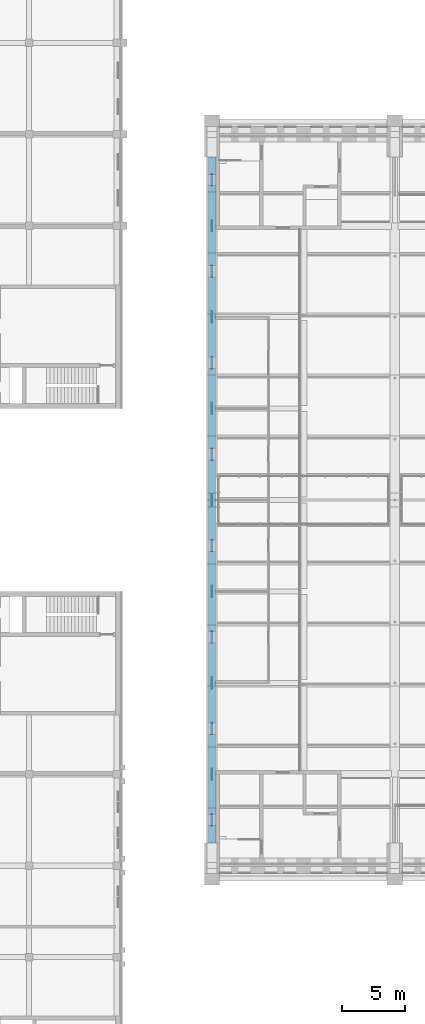
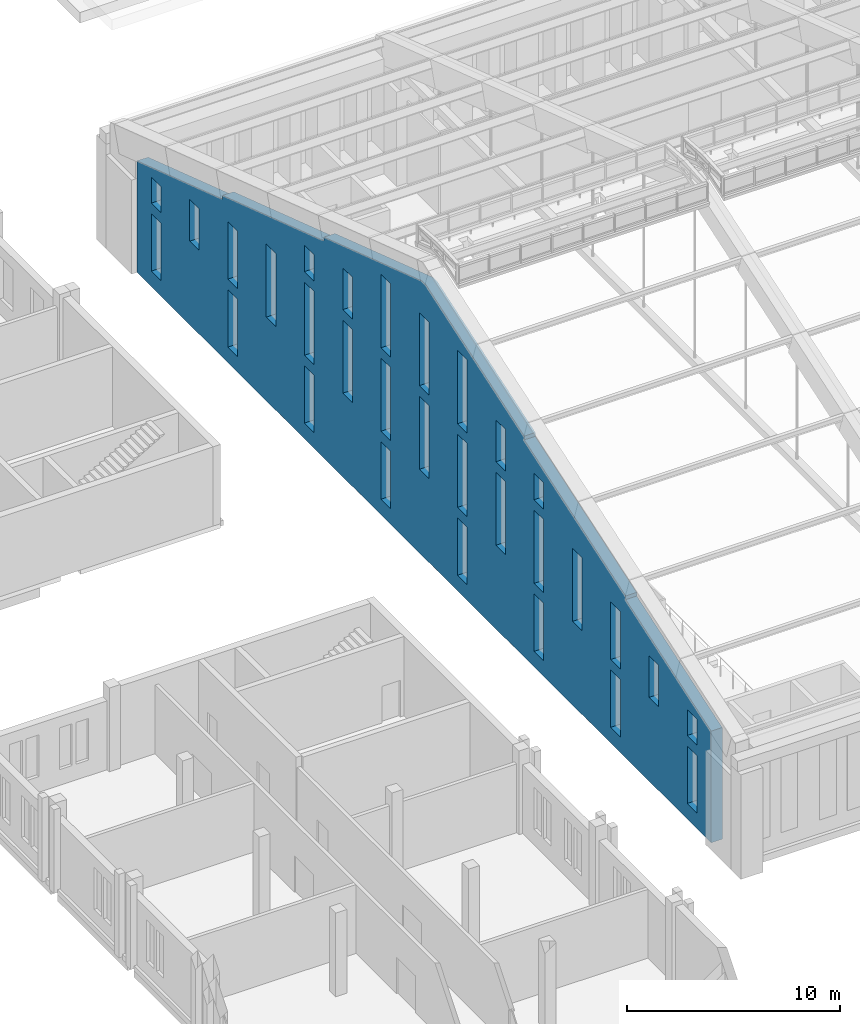
# One storey, part 128 of 149: 1 wall, 30 openings.
"""IFC4 building model written with IfcOpenShell, lengths in metres."""

from ifc_helpers import new_model, si_unit, direction, frame, frame_2d, origin, place, context, subcontext, project, spatial, polyline, rectangle, outline, extrude, material, layer, layer_set, type_object, element, save


model = new_model("IFC4")

# Units and contexts
model_context = context("Model", 3, precision=1e-05, world=origin(), true_north=direction((0.0, 1.0)))
body_context = subcontext(model_context, "Body", "Model", "MODEL_VIEW")
ifc_project = project(units=[si_unit("LENGTHUNIT", "METRE"), si_unit("AREAUNIT", "SQUARE_METRE"), si_unit("VOLUMEUNIT", "CUBIC_METRE"), si_unit("PLANEANGLEUNIT", "RADIAN"), si_unit("MASSUNIT", "GRAM", prefix="KILO")], contexts=[model_context])

# Site, building, storey
site_placement = place(None, origin())
site = spatial("IfcSite", under=ifc_project, at=site_placement, CompositionType="ELEMENT")
building_placement = place(site_placement, origin())
building = spatial("IfcBuilding", under=site, at=building_placement, Name="Alderwick Market Hall", CompositionType="ELEMENT")
storey_placement = place(building_placement, frame((0.0, 0.0, 9.60009765625)))
storey = spatial("IfcBuildingStorey", under=building, at=storey_placement, Name="L01", CompositionType="ELEMENT", Elevation=9.60009765625)

# Wall, openings
ifc_material = material(Name="Concrete 5000 psi (f'c 35 MPa)", Category="concrete")
ifc_layer = layer(ifc_material, 0.60009765625)
ifc_layer_set = layer_set([ifc_layer], Name="Concrete 5000 psi (f'c 35 MPa)")
wall_type = type_object("IfcWallType", Name="R Gable Wall 600", PredefinedType="SOLIDWALL", material=ifc_layer_set)
wall_placement = place(storey_placement, frame((50.39990234375, 52.199951171875, 0.0), z_axis=(0.0, 0.0, 1.0), x_axis=(0.0, 1.0, 0.0)))
wall = element("IfcWall", 1, at=wall_placement, inside=storey, type_object=wall_type, Name="West gable wall L01", PredefinedType="SOLIDWALL", context=body_context, shape_type="SweptSolid", body=[
    extrude(outline(polyline([(0.0, 0.0), (54.0, 0.0), (54.0, 6.409423828125), (53.699951171875, 6.50927734375), (53.39990234375, 6.609375), (53.10009765625, 6.709228515625), (52.800048828125, 6.809326171875), (52.5, 6.909423828125), (52.199951171875, 7.00927734375), (51.89990234375, 7.109375), (51.60009765625, 7.209228515625), (51.300048828125, 7.309326171875), (51.0, 7.409423828125), (50.763916015625, 7.488037109375), (50.76171875, 7.48876953125), (50.699951171875, 7.50927734375), (50.39990234375, 7.609375), (50.10009765625, 7.709228515625), (49.800048828125, 7.809326171875), (49.5, 7.909423828125), (49.199951171875, 8.00927734375), (48.89990234375, 8.109375), (48.60009765625, 8.209228515625), (48.300048828125, 8.309326171875), (48.0, 8.409423828125), (47.699951171875, 8.50927734375), (47.39990234375, 8.609375), (47.10009765625, 8.709228515625), (46.800048828125, 8.809326171875), (46.5, 8.909423828125), (46.199951171875, 9.00927734375), (46.027099609375, 9.06689453125), (46.025146484375, 9.067626953125), (45.9638671875, 9.088134765625), (45.9619140625, 9.299560546875), (45.89990234375, 9.320068359375), (45.60009765625, 9.420166015625), (45.300048828125, 9.52001953125), (45.0, 9.6201171875), (44.699951171875, 9.72021484375), (44.39990234375, 9.820068359375), (44.10009765625, 9.920166015625), (43.800048828125, 10.02001953125), (43.5, 10.1201171875), (43.199951171875, 10.22021484375), (42.89990234375, 10.320068359375), (42.60009765625, 10.420166015625), (42.300048828125, 10.52001953125), (42.0, 10.6201171875), (41.699951171875, 10.72021484375), (41.39990234375, 10.820068359375), (41.22705078125, 10.877685546875), (41.22509765625, 10.87841796875), (41.10009765625, 10.920166015625), (40.800048828125, 11.02001953125), (40.5, 11.1201171875), (40.199951171875, 11.22021484375), (39.89990234375, 11.320068359375), (39.60009765625, 11.420166015625), (39.300048828125, 11.52001953125), (39.0, 11.6201171875), (38.699951171875, 11.72021484375), (38.39990234375, 11.820068359375), (38.10009765625, 11.920166015625), (37.800048828125, 12.02001953125), (37.5, 12.1201171875), (37.199951171875, 12.22021484375), (36.89990234375, 12.320068359375), (36.60009765625, 12.420166015625), (36.490234375, 12.456787109375), (36.48828125, 12.45751953125), (36.427001953125, 12.477783203125), (36.425048828125, 12.689208984375), (36.300048828125, 12.73095703125), (36.0, 12.8310546875), (35.699951171875, 12.930908203125), (35.39990234375, 13.031005859375), (35.10009765625, 13.131103515625), (34.800048828125, 13.23095703125), (34.5, 13.3310546875), (34.199951171875, 13.430908203125), (33.89990234375, 13.531005859375), (33.60009765625, 13.631103515625), (33.300048828125, 13.73095703125), (33.0, 13.8310546875), (32.699951171875, 13.930908203125), (32.39990234375, 14.031005859375), (32.10009765625, 14.131103515625), (31.800048828125, 14.23095703125), (31.690185546875, 14.267578125), (31.688232421875, 14.268310546875), (31.5, 14.3310546875), (31.199951171875, 14.430908203125), (30.89990234375, 14.531005859375), (30.60009765625, 14.631103515625), (30.300048828125, 14.73095703125), (30.0, 14.8310546875), (29.699951171875, 14.930908203125), (29.39990234375, 15.031005859375), (29.10009765625, 15.131103515625), (28.800048828125, 15.23095703125), (28.5, 15.3310546875), (28.199951171875, 15.430908203125), (27.89990234375, 15.531005859375), (27.60009765625, 15.631103515625), (27.300048828125, 15.73095703125), (27.200927734375, 15.763916015625), (27.198974609375, 15.764404296875), (27.0, 15.764404296875), (26.801025390625, 15.764404296875), (26.799072265625, 15.763916015625), (26.699951171875, 15.73095703125), (26.39990234375, 15.631103515625), (26.10009765625, 15.531005859375), (25.800048828125, 15.430908203125), (25.5, 15.3310546875), (25.199951171875, 15.23095703125), (24.89990234375, 15.131103515625), (24.60009765625, 15.031005859375), (24.300048828125, 14.930908203125), (24.0, 14.8310546875), (23.699951171875, 14.73095703125), (23.39990234375, 14.631103515625), (23.10009765625, 14.531005859375), (22.800048828125, 14.430908203125), (22.5, 14.3310546875), (22.311767578125, 14.268310546875), (22.309814453125, 14.267578125), (22.199951171875, 14.23095703125), (21.89990234375, 14.131103515625), (21.60009765625, 14.031005859375), (21.300048828125, 13.930908203125), (21.0, 13.8310546875), (20.699951171875, 13.73095703125), (20.39990234375, 13.631103515625), (20.10009765625, 13.531005859375), (19.800048828125, 13.430908203125), (19.5, 13.3310546875), (19.199951171875, 13.23095703125), (18.89990234375, 13.131103515625), (18.60009765625, 13.031005859375), (18.300048828125, 12.930908203125), (18.0, 12.8310546875), (17.699951171875, 12.73095703125), (17.574951171875, 12.689208984375), (17.572998046875, 12.477783203125), (17.51171875, 12.45751953125), (17.509765625, 12.456787109375), (17.39990234375, 12.420166015625), (17.10009765625, 12.320068359375), (16.800048828125, 12.22021484375), (16.5, 12.1201171875), (16.199951171875, 12.02001953125), (15.89990234375, 11.920166015625), (15.60009765625, 11.820068359375), (15.300048828125, 11.72021484375), (15.0, 11.6201171875), (14.699951171875, 11.52001953125), (14.39990234375, 11.420166015625), (14.10009765625, 11.320068359375), (13.800048828125, 11.22021484375), (13.5, 11.1201171875), (13.199951171875, 11.02001953125), (12.89990234375, 10.920166015625), (12.77490234375, 10.87841796875), (12.77294921875, 10.877685546875), (12.60009765625, 10.820068359375), (12.300048828125, 10.72021484375), (12.0, 10.6201171875), (11.699951171875, 10.52001953125), (11.39990234375, 10.420166015625), (11.10009765625, 10.320068359375), (10.800048828125, 10.22021484375), (10.5, 10.1201171875), (10.199951171875, 10.02001953125), (9.89990234375, 9.920166015625), (9.60009765625, 9.820068359375), (9.300048828125, 9.72021484375), (9.0, 9.6201171875), (8.699951171875, 9.52001953125), (8.39990234375, 9.420166015625), (8.10009765625, 9.320068359375), (8.0380859375, 9.299560546875), (8.0361328125, 9.088134765625), (7.974853515625, 9.067626953125), (7.972900390625, 9.06689453125), (7.800048828125, 9.00927734375), (7.5, 8.909423828125), (7.199951171875, 8.809326171875), (6.89990234375, 8.709228515625), (6.60009765625, 8.609375), (6.300048828125, 8.50927734375), (6.0, 8.409423828125), (5.699951171875, 8.309326171875), (5.39990234375, 8.209228515625), (5.10009765625, 8.109375), (4.800048828125, 8.00927734375), (4.5, 7.909423828125), (4.199951171875, 7.809326171875), (3.89990234375, 7.709228515625), (3.60009765625, 7.609375), (3.300048828125, 7.50927734375), (3.23828125, 7.48876953125), (3.236083984375, 7.488037109375), (3.0, 7.409423828125), (2.699951171875, 7.309326171875), (2.39990234375, 7.209228515625), (2.10009765625, 7.109375), (1.800048828125, 7.00927734375), (1.5, 6.909423828125), (1.199951171875, 6.809326171875), (0.89990234375, 6.709228515625), (0.60009765625, 6.609375), (0.300048828125, 6.50927734375), (0.0, 6.409423828125), (0.0, 0.0)])), frame((0.0, 0.300048828125, 0.0), z_axis=(0.0, -1.0, 0.0), x_axis=(1.0, 0.0, 0.0)), (0.0, 0.0, 1.0), 0.60009765625),
])
opening_1_placement = place(wall_placement, frame((1.35009765625, 0.0, 0.89990234375)))
element("IfcOpeningElement", 2, at=opening_1_placement, cuts=wall, Name="Opening R-W017", PredefinedType="OPENING", context=body_context, shape_type="SweptSolid", body=[
    extrude(rectangle(XDim=0.89990234375, YDim=3.300048828125, at=frame_2d((0.449951171875, 1.64990234375))), frame((0.0, 0.31005859375, 0.0), z_axis=(0.0, -1.0, 0.0), x_axis=(1.0, 0.0, 0.0)), (0.0, 0.0, 1.0), 0.6201171875),
])
opening_2_placement = place(wall_placement, frame((8.550048828125, 0.0, 0.89990234375)))
element("IfcOpeningElement", 3, at=opening_2_placement, cuts=wall, Name="Opening R-W018", PredefinedType="OPENING", context=body_context, shape_type="SweptSolid", body=[
    extrude(rectangle(XDim=0.89990234375, YDim=3.300048828125, at=frame_2d((0.449951171875, 1.64990234375))), frame((0.0, 0.31005859375, 0.0), z_axis=(0.0, -1.0, 0.0), x_axis=(1.0, 0.0, 0.0)), (0.0, 0.0, 1.0), 0.6201171875),
])
opening_3_placement = place(wall_placement, frame((15.75, 0.0, 0.89990234375)))
element("IfcOpeningElement", 4, at=opening_3_placement, cuts=wall, Name="Opening R-W019", PredefinedType="OPENING", context=body_context, shape_type="SweptSolid", body=[
    extrude(rectangle(XDim=0.89990234375, YDim=3.300048828125, at=frame_2d((0.449951171875, 1.64990234375))), frame((0.0, 0.31005859375, 0.0), z_axis=(0.0, -1.0, 0.0), x_axis=(1.0, 0.0, 0.0)), (0.0, 0.0, 1.0), 0.6201171875),
])
opening_4_placement = place(wall_placement, frame((22.949951171875, 0.0, 0.89990234375)))
element("IfcOpeningElement", 5, at=opening_4_placement, cuts=wall, Name="Opening R-W020", PredefinedType="OPENING", context=body_context, shape_type="SweptSolid", body=[
    extrude(rectangle(XDim=0.89990234375, YDim=3.300048828125, at=frame_2d((0.449951171875, 1.64990234375))), frame((0.0, 0.31005859375, 0.0), z_axis=(0.0, -1.0, 0.0), x_axis=(1.0, 0.0, 0.0)), (0.0, 0.0, 1.0), 0.6201171875),
])
opening_5_placement = place(wall_placement, frame((30.14990234375, 0.0, 0.89990234375)))
element("IfcOpeningElement", 6, at=opening_5_placement, cuts=wall, Name="Opening R-W021", PredefinedType="OPENING", context=body_context, shape_type="SweptSolid", body=[
    extrude(rectangle(XDim=0.89990234375, YDim=3.300048828125, at=frame_2d((0.449951171875, 1.64990234375))), frame((0.0, 0.31005859375, 0.0), z_axis=(0.0, -1.0, 0.0), x_axis=(1.0, 0.0, 0.0)), (0.0, 0.0, 1.0), 0.6201171875),
])
opening_6_placement = place(wall_placement, frame((37.35009765625, 0.0, 0.89990234375)))
element("IfcOpeningElement", 7, at=opening_6_placement, cuts=wall, Name="Opening R-W022", PredefinedType="OPENING", context=body_context, shape_type="SweptSolid", body=[
    extrude(rectangle(XDim=0.89990234375, YDim=3.300048828125, at=frame_2d((0.449951171875, 1.64990234375))), frame((0.0, 0.31005859375, 0.0), z_axis=(0.0, -1.0, 0.0), x_axis=(1.0, 0.0, 0.0)), (0.0, 0.0, 1.0), 0.6201171875),
])
opening_7_placement = place(wall_placement, frame((44.550048828125, 0.0, 0.89990234375)))
element("IfcOpeningElement", 8, at=opening_7_placement, cuts=wall, Name="Opening R-W023", PredefinedType="OPENING", context=body_context, shape_type="SweptSolid", body=[
    extrude(rectangle(XDim=0.89990234375, YDim=3.300048828125, at=frame_2d((0.449951171875, 1.64990234375))), frame((0.0, 0.31005859375, 0.0), z_axis=(0.0, -1.0, 0.0), x_axis=(1.0, 0.0, 0.0)), (0.0, 0.0, 1.0), 0.6201171875),
])
opening_8_placement = place(wall_placement, frame((51.75, 0.0, 0.89990234375)))
element("IfcOpeningElement", 9, at=opening_8_placement, cuts=wall, Name="Opening R-W024", PredefinedType="OPENING", context=body_context, shape_type="SweptSolid", body=[
    extrude(rectangle(XDim=0.89990234375, YDim=3.300048828125, at=frame_2d((0.449951171875, 1.64990234375))), frame((0.0, 0.31005859375, 0.0), z_axis=(0.0, -1.0, 0.0), x_axis=(1.0, 0.0, 0.0)), (0.0, 0.0, 1.0), 0.6201171875),
])
opening_9_placement = place(wall_placement, frame((1.35009765625, 0.0, 4.800048828125)))
element("IfcOpeningElement", 10, at=opening_9_placement, cuts=wall, Name="Opening R-W025", PredefinedType="OPENING", context=body_context, shape_type="SweptSolid", body=[
    extrude(rectangle(XDim=0.89990234375, YDim=1.5, at=frame_2d((0.449951171875, 0.75))), frame((0.0, 0.31005859375, 0.0), z_axis=(0.0, -1.0, 0.0), x_axis=(1.0, 0.0, 0.0)), (0.0, 0.0, 1.0), 0.6201171875),
])
opening_10_placement = place(wall_placement, frame((4.949951171875, 0.0, 4.800048828125)))
element("IfcOpeningElement", 11, at=opening_10_placement, cuts=wall, Name="Opening R-W026", PredefinedType="OPENING", context=body_context, shape_type="SweptSolid", body=[
    extrude(rectangle(XDim=0.89990234375, YDim=2.39990234375, at=frame_2d((0.449951171875, 1.199951171875))), frame((0.0, 0.31005859375, 0.0), z_axis=(0.0, -1.0, 0.0), x_axis=(1.0, 0.0, 0.0)), (0.0, 0.0, 1.0), 0.6201171875),
])
opening_11_placement = place(wall_placement, frame((8.550048828125, 0.0, 4.800048828125)))
element("IfcOpeningElement", 12, at=opening_11_placement, cuts=wall, Name="Opening R-W027", PredefinedType="OPENING", context=body_context, shape_type="SweptSolid", body=[
    extrude(rectangle(XDim=0.89990234375, YDim=3.300048828125, at=frame_2d((0.449951171875, 1.64990234375))), frame((0.0, 0.31005859375, 0.0), z_axis=(0.0, -1.0, 0.0), x_axis=(1.0, 0.0, 0.0)), (0.0, 0.0, 1.0), 0.6201171875),
])
opening_12_placement = place(wall_placement, frame((12.14990234375, 0.0, 4.800048828125)))
element("IfcOpeningElement", 13, at=opening_12_placement, cuts=wall, Name="Opening R-W028", PredefinedType="OPENING", context=body_context, shape_type="SweptSolid", body=[
    extrude(rectangle(XDim=0.89990234375, YDim=4.199951171875, at=frame_2d((0.449951171875, 2.10009765625))), frame((0.0, 0.31005859375, 0.0), z_axis=(0.0, -1.0, 0.0), x_axis=(1.0, 0.0, 0.0)), (0.0, 0.0, 1.0), 0.6201171875),
])
opening_13_placement = place(wall_placement, frame((15.75, 0.0, 4.800048828125)))
element("IfcOpeningElement", 14, at=opening_13_placement, cuts=wall, Name="Opening R-W029", PredefinedType="OPENING", context=body_context, shape_type="SweptSolid", body=[
    extrude(rectangle(XDim=0.89990234375, YDim=4.199951171875, at=frame_2d((0.449951171875, 2.10009765625))), frame((0.0, 0.31005859375, 0.0), z_axis=(0.0, -1.0, 0.0), x_axis=(1.0, 0.0, 0.0)), (0.0, 0.0, 1.0), 0.6201171875),
])
opening_14_placement = place(wall_placement, frame((19.35009765625, 0.0, 4.800048828125)))
element("IfcOpeningElement", 15, at=opening_14_placement, cuts=wall, Name="Opening R-W030", PredefinedType="OPENING", context=body_context, shape_type="SweptSolid", body=[
    extrude(rectangle(XDim=0.89990234375, YDim=4.199951171875, at=frame_2d((0.449951171875, 2.10009765625))), frame((0.0, 0.31005859375, 0.0), z_axis=(0.0, -1.0, 0.0), x_axis=(1.0, 0.0, 0.0)), (0.0, 0.0, 1.0), 0.6201171875),
])
opening_15_placement = place(wall_placement, frame((22.949951171875, 0.0, 4.800048828125)))
element("IfcOpeningElement", 16, at=opening_15_placement, cuts=wall, Name="Opening R-W031", PredefinedType="OPENING", context=body_context, shape_type="SweptSolid", body=[
    extrude(rectangle(XDim=0.89990234375, YDim=4.199951171875, at=frame_2d((0.449951171875, 2.10009765625))), frame((0.0, 0.31005859375, 0.0), z_axis=(0.0, -1.0, 0.0), x_axis=(1.0, 0.0, 0.0)), (0.0, 0.0, 1.0), 0.6201171875),
])
opening_16_placement = place(wall_placement, frame((26.550048828125, 0.0, 4.800048828125)))
element("IfcOpeningElement", 17, at=opening_16_placement, cuts=wall, Name="Opening R-W032", PredefinedType="OPENING", context=body_context, shape_type="SweptSolid", body=[
    extrude(rectangle(XDim=0.89990234375, YDim=4.199951171875, at=frame_2d((0.449951171875, 2.10009765625))), frame((0.0, 0.31005859375, 0.0), z_axis=(0.0, -1.0, 0.0), x_axis=(1.0, 0.0, 0.0)), (0.0, 0.0, 1.0), 0.6201171875),
])
opening_17_placement = place(wall_placement, frame((30.14990234375, 0.0, 4.800048828125)))
element("IfcOpeningElement", 18, at=opening_17_placement, cuts=wall, Name="Opening R-W033", PredefinedType="OPENING", context=body_context, shape_type="SweptSolid", body=[
    extrude(rectangle(XDim=0.89990234375, YDim=4.199951171875, at=frame_2d((0.449951171875, 2.10009765625))), frame((0.0, 0.31005859375, 0.0), z_axis=(0.0, -1.0, 0.0), x_axis=(1.0, 0.0, 0.0)), (0.0, 0.0, 1.0), 0.6201171875),
])
opening_18_placement = place(wall_placement, frame((33.75, 0.0, 4.800048828125)))
element("IfcOpeningElement", 19, at=opening_18_placement, cuts=wall, Name="Opening R-W034", PredefinedType="OPENING", context=body_context, shape_type="SweptSolid", body=[
    extrude(rectangle(XDim=0.89990234375, YDim=4.199951171875, at=frame_2d((0.449951171875, 2.10009765625))), frame((0.0, 0.31005859375, 0.0), z_axis=(0.0, -1.0, 0.0), x_axis=(1.0, 0.0, 0.0)), (0.0, 0.0, 1.0), 0.6201171875),
])
opening_19_placement = place(wall_placement, frame((37.35009765625, 0.0, 4.800048828125)))
element("IfcOpeningElement", 20, at=opening_19_placement, cuts=wall, Name="Opening R-W035", PredefinedType="OPENING", context=body_context, shape_type="SweptSolid", body=[
    extrude(rectangle(XDim=0.89990234375, YDim=4.199951171875, at=frame_2d((0.449951171875, 2.10009765625))), frame((0.0, 0.31005859375, 0.0), z_axis=(0.0, -1.0, 0.0), x_axis=(1.0, 0.0, 0.0)), (0.0, 0.0, 1.0), 0.6201171875),
])
opening_20_placement = place(wall_placement, frame((40.949951171875, 0.0, 4.800048828125)))
element("IfcOpeningElement", 21, at=opening_20_placement, cuts=wall, Name="Opening R-W036", PredefinedType="OPENING", context=body_context, shape_type="SweptSolid", body=[
    extrude(rectangle(XDim=0.89990234375, YDim=4.199951171875, at=frame_2d((0.449951171875, 2.10009765625))), frame((0.0, 0.31005859375, 0.0), z_axis=(0.0, -1.0, 0.0), x_axis=(1.0, 0.0, 0.0)), (0.0, 0.0, 1.0), 0.6201171875),
])
opening_21_placement = place(wall_placement, frame((44.550048828125, 0.0, 4.800048828125)))
element("IfcOpeningElement", 22, at=opening_21_placement, cuts=wall, Name="Opening R-W037", PredefinedType="OPENING", context=body_context, shape_type="SweptSolid", body=[
    extrude(rectangle(XDim=0.89990234375, YDim=3.300048828125, at=frame_2d((0.449951171875, 1.64990234375))), frame((0.0, 0.31005859375, 0.0), z_axis=(0.0, -1.0, 0.0), x_axis=(1.0, 0.0, 0.0)), (0.0, 0.0, 1.0), 0.6201171875),
])
opening_22_placement = place(wall_placement, frame((48.14990234375, 0.0, 4.800048828125)))
element("IfcOpeningElement", 23, at=opening_22_placement, cuts=wall, Name="Opening R-W038", PredefinedType="OPENING", context=body_context, shape_type="SweptSolid", body=[
    extrude(rectangle(XDim=0.89990234375, YDim=2.39990234375, at=frame_2d((0.449951171875, 1.199951171875))), frame((0.0, 0.31005859375, 0.0), z_axis=(0.0, -1.0, 0.0), x_axis=(1.0, 0.0, 0.0)), (0.0, 0.0, 1.0), 0.6201171875),
])
opening_23_placement = place(wall_placement, frame((51.75, 0.0, 4.800048828125)))
element("IfcOpeningElement", 24, at=opening_23_placement, cuts=wall, Name="Opening R-W039", PredefinedType="OPENING", context=body_context, shape_type="SweptSolid", body=[
    extrude(rectangle(XDim=0.89990234375, YDim=1.5, at=frame_2d((0.449951171875, 0.75))), frame((0.0, 0.31005859375, 0.0), z_axis=(0.0, -1.0, 0.0), x_axis=(1.0, 0.0, 0.0)), (0.0, 0.0, 1.0), 0.6201171875),
])
opening_24_placement = place(wall_placement, frame((15.75, 0.0, 9.60009765625)))
element("IfcOpeningElement", 25, at=opening_24_placement, cuts=wall, Name="Opening R-W040", PredefinedType="OPENING", context=body_context, shape_type="SweptSolid", body=[
    extrude(rectangle(XDim=0.89990234375, YDim=1.5, at=frame_2d((0.449951171875, 0.75))), frame((0.0, 0.31005859375, 0.0), z_axis=(0.0, -1.0, 0.0), x_axis=(1.0, 0.0, 0.0)), (0.0, 0.0, 1.0), 0.6201171875),
])
opening_25_placement = place(wall_placement, frame((19.35009765625, 0.0, 9.60009765625)))
element("IfcOpeningElement", 26, at=opening_25_placement, cuts=wall, Name="Opening R-W041", PredefinedType="OPENING", context=body_context, shape_type="SweptSolid", body=[
    extrude(rectangle(XDim=0.89990234375, YDim=2.39990234375, at=frame_2d((0.449951171875, 1.199951171875))), frame((0.0, 0.31005859375, 0.0), z_axis=(0.0, -1.0, 0.0), x_axis=(1.0, 0.0, 0.0)), (0.0, 0.0, 1.0), 0.6201171875),
])
opening_26_placement = place(wall_placement, frame((22.949951171875, 0.0, 9.60009765625)))
element("IfcOpeningElement", 27, at=opening_26_placement, cuts=wall, Name="Opening R-W042", PredefinedType="OPENING", context=body_context, shape_type="SweptSolid", body=[
    extrude(rectangle(XDim=0.89990234375, YDim=4.199951171875, at=frame_2d((0.449951171875, 2.10009765625))), frame((0.0, 0.31005859375, 0.0), z_axis=(0.0, -1.0, 0.0), x_axis=(1.0, 0.0, 0.0)), (0.0, 0.0, 1.0), 0.6201171875),
])
opening_27_placement = place(wall_placement, frame((26.550048828125, 0.0, 9.60009765625)))
element("IfcOpeningElement", 28, at=opening_27_placement, cuts=wall, Name="Opening R-W043", PredefinedType="OPENING", context=body_context, shape_type="SweptSolid", body=[
    extrude(rectangle(XDim=0.89990234375, YDim=4.199951171875, at=frame_2d((0.449951171875, 2.10009765625))), frame((0.0, 0.31005859375, 0.0), z_axis=(0.0, -1.0, 0.0), x_axis=(1.0, 0.0, 0.0)), (0.0, 0.0, 1.0), 0.6201171875),
])
opening_28_placement = place(wall_placement, frame((30.14990234375, 0.0, 9.60009765625)))
element("IfcOpeningElement", 29, at=opening_28_placement, cuts=wall, Name="Opening R-W044", PredefinedType="OPENING", context=body_context, shape_type="SweptSolid", body=[
    extrude(rectangle(XDim=0.89990234375, YDim=4.199951171875, at=frame_2d((0.449951171875, 2.10009765625))), frame((0.0, 0.31005859375, 0.0), z_axis=(0.0, -1.0, 0.0), x_axis=(1.0, 0.0, 0.0)), (0.0, 0.0, 1.0), 0.6201171875),
])
opening_29_placement = place(wall_placement, frame((33.75, 0.0, 9.60009765625)))
element("IfcOpeningElement", 30, at=opening_29_placement, cuts=wall, Name="Opening R-W045", PredefinedType="OPENING", context=body_context, shape_type="SweptSolid", body=[
    extrude(rectangle(XDim=0.89990234375, YDim=2.39990234375, at=frame_2d((0.449951171875, 1.199951171875))), frame((0.0, 0.31005859375, 0.0), z_axis=(0.0, -1.0, 0.0), x_axis=(1.0, 0.0, 0.0)), (0.0, 0.0, 1.0), 0.6201171875),
])
opening_30_placement = place(wall_placement, frame((37.35009765625, 0.0, 9.60009765625)))
element("IfcOpeningElement", 31, at=opening_30_placement, cuts=wall, Name="Opening R-W046", PredefinedType="OPENING", context=body_context, shape_type="SweptSolid", body=[
    extrude(rectangle(XDim=0.89990234375, YDim=1.5, at=frame_2d((0.449951171875, 0.75))), frame((0.0, 0.31005859375, 0.0), z_axis=(0.0, -1.0, 0.0), x_axis=(1.0, 0.0, 0.0)), (0.0, 0.0, 1.0), 0.6201171875),
])

save(model, "model.ifc")
